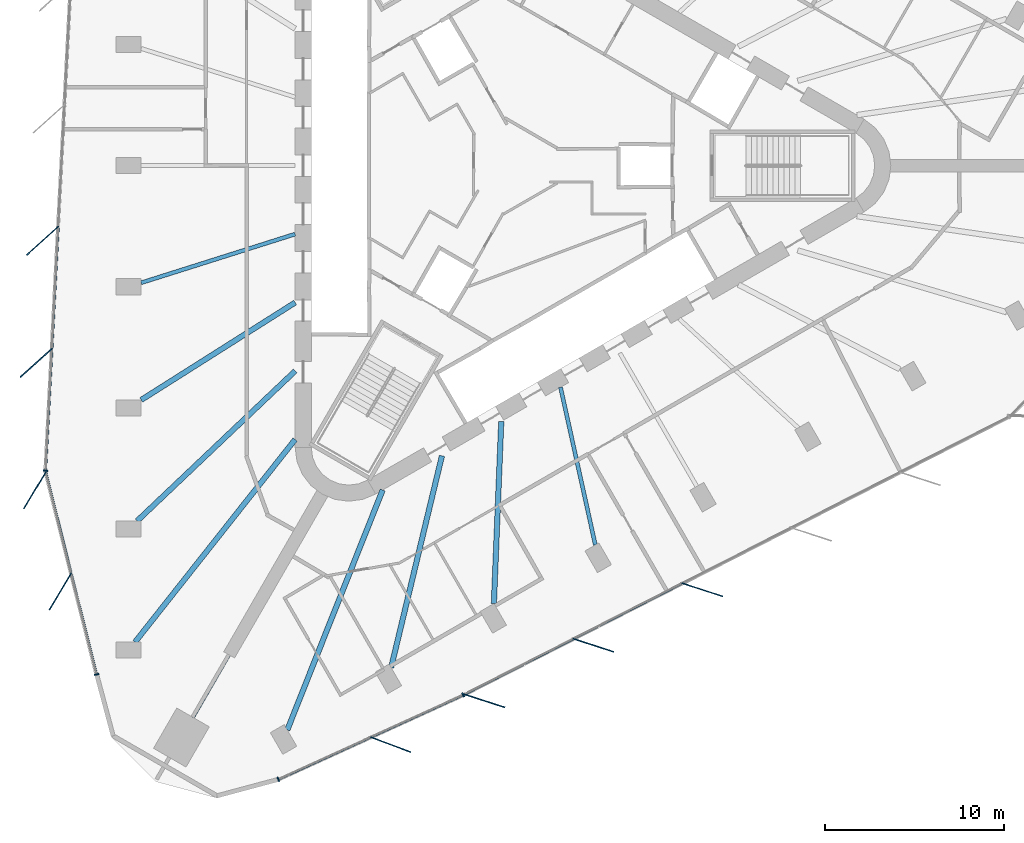
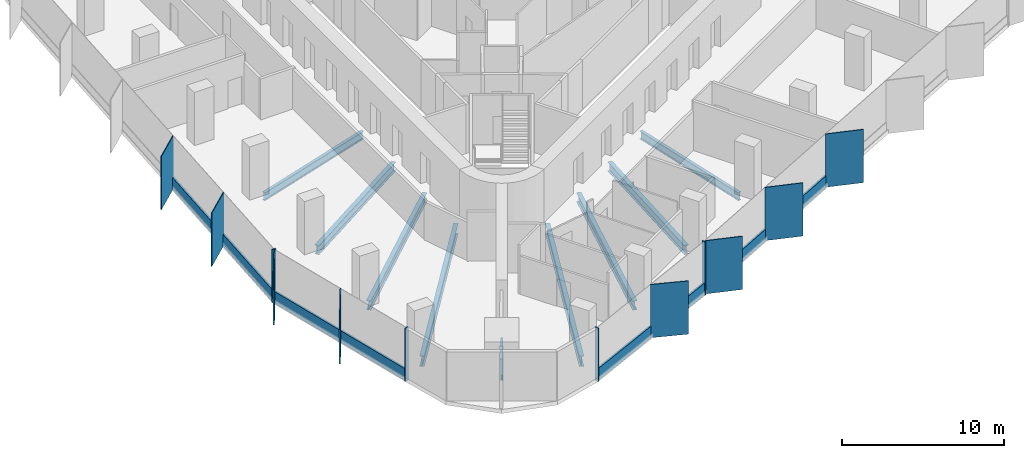
# One storey, part 2 of 14: 20 members, 9 beams, 4 elements without a shape of their own.
"""IFC4 building model written with IfcOpenShell, lengths in metres."""

from ifc_helpers import new_model, si_unit, direction, frame, origin, origin_2d, place, context, subcontext, project, spatial, rectangle, i_section, extrude, material, material_profile, profile_set, type_object, element, aggregate, save


model = new_model("IFC4")

# Units and contexts
model_context = context("Model", 3, precision=1e-05, world=origin(), true_north=direction((0.0, 1.0)))
body_context = subcontext(model_context, "Body", "Model", "MODEL_VIEW")
ifc_project = project(units=[si_unit("LENGTHUNIT", "METRE"), si_unit("AREAUNIT", "SQUARE_METRE"), si_unit("VOLUMEUNIT", "CUBIC_METRE"), si_unit("PLANEANGLEUNIT", "RADIAN"), si_unit("MASSUNIT", "GRAM", prefix="KILO")], contexts=[model_context])

# Site, building, storey
site_placement = place(None, origin())
site = spatial("IfcSite", under=ifc_project, at=site_placement, CompositionType="ELEMENT")
building_placement = place(site_placement, origin())
building = spatial("IfcBuilding", under=site, at=building_placement, Name="Tanit Gate Tower", CompositionType="ELEMENT")
storey_placement = place(building_placement, frame((0.0, 0.0, 257.199951171875)))
storey = spatial("IfcBuildingStorey", under=building, at=storey_placement, Name="L58", CompositionType="ELEMENT", Elevation=257.199951171875)

# Curtain wall, members
ifc_material_1 = material(Name="Aluminium bronze anodised and glass", Category="aluminium")
curtain_wall_type = type_object("IfcCurtainWallType", Name="Curtain wall typical mid", PredefinedType="NOTDEFINED", material=ifc_material_1)
curtain_wall_1_placement = place(storey_placement, origin())
curtain_wall_1 = element("IfcCurtainWall", 1, at=curtain_wall_1_placement, inside=storey, type_object=curtain_wall_type, Name="Curtain wall L58 W2", PredefinedType="NOTDEFINED")
ifc_material_2 = material(Name="Aluminium bronze anodised", Category="aluminium")
ifc_material_profile_1 = material_profile(ifc_material_2, rectangle(XDim=2.39990234375, YDim=0.055908203125, at=origin_2d()), Name="56x2400 bronze fin mullion")
ifc_profile_set_1 = profile_set([ifc_material_profile_1], Name="Aluminium bronze anodised")
member_type_1 = type_object("IfcMemberType", Name="FIN MULLION 56x2400 bronze", PredefinedType="MULLION", material=ifc_profile_set_1)
member_1_placement = place(storey_placement, frame((-26.218994140625, -4.199462890625, -0.300048828125), z_axis=(0.0, 0.0, 1.0), x_axis=(0.742829073656, 0.66948111798, 0.0)))
member_1 = element("IfcMember", 2, at=member_1_placement, type_object=member_type_1, Name="Fin mullion L58 W2.4", PredefinedType="MULLION", context=body_context, shape_type="SweptSolid", body=[
    extrude(rectangle(XDim=2.39990234375, YDim=0.055908203125, at=origin_2d()), origin(), (0.0, 0.0, 1.0), 4.0),
])
member_2_placement = place(storey_placement, frame((-26.573486328125, -11.022705078125, -0.300048828125), z_axis=(0.0, 0.0, 1.0), x_axis=(0.742829073656, 0.66948111798, 0.0)))
member_2 = element("IfcMember", 3, at=member_2_placement, type_object=member_type_1, Name="Fin mullion L58 W2.5", PredefinedType="MULLION", context=body_context, shape_type="SweptSolid", body=[
    extrude(rectangle(XDim=2.39990234375, YDim=0.055908203125, at=origin_2d()), origin(), (0.0, 0.0, 1.0), 4.0),
])

curtain_wall_2_placement = place(storey_placement, origin())
curtain_wall_2 = element("IfcCurtainWall", 4, at=curtain_wall_2_placement, inside=storey, type_object=curtain_wall_type, Name="Curtain wall L58 W3", PredefinedType="NOTDEFINED")
member_3_placement = place(storey_placement, frame((-26.649658203125, -18.147216796875, -0.300048828125), z_axis=(0.0, 0.0, 1.0), x_axis=(0.513349374266, 0.858179713079, 0.0)))
member_3 = element("IfcMember", 5, at=member_3_placement, type_object=member_type_1, Name="Fin mullion L58 W3.1", PredefinedType="MULLION", context=body_context, shape_type="SweptSolid", body=[
    extrude(rectangle(XDim=2.39990234375, YDim=0.055908203125, at=origin_2d()), origin(), (0.0, 0.0, 1.0), 4.0),
])
member_4_placement = place(storey_placement, frame((-25.227783203125, -23.802001953125, -0.300048828125), z_axis=(0.0, 0.0, 1.0), x_axis=(0.513349374266, 0.858179713079, 0.0)))
member_4 = element("IfcMember", 6, at=member_4_placement, type_object=member_type_1, Name="Fin mullion L58 W3.2", PredefinedType="MULLION", context=body_context, shape_type="SweptSolid", body=[
    extrude(rectangle(XDim=2.39990234375, YDim=0.055908203125, at=origin_2d()), origin(), (0.0, 0.0, 1.0), 4.0),
])

# Curtain wall, member
curtain_wall_3_placement = place(storey_placement, origin())
curtain_wall_3 = element("IfcCurtainWall", 7, at=curtain_wall_3_placement, inside=storey, type_object=curtain_wall_type, Name="Curtain wall L58 SE1", PredefinedType="NOTDEFINED")
member_5_placement = place(storey_placement, frame((-6.77099609375, -32.364013671875, -0.300048828125), z_axis=(0.0, 0.0, 1.0), x_axis=(-0.936905482973, 0.34958277414, 0.0)))
member_5 = element("IfcMember", 8, at=member_5_placement, type_object=member_type_1, Name="Fin mullion L58 SE1.2", PredefinedType="MULLION", context=body_context, shape_type="SweptSolid", body=[
    extrude(rectangle(XDim=2.39990234375, YDim=0.055908203125, at=origin_2d()), origin(), (0.0, 0.0, 1.0), 4.0),
])

# Curtain wall, members
curtain_wall_4_placement = place(storey_placement, origin())
curtain_wall_4 = element("IfcCurtainWall", 9, at=curtain_wall_4_placement, inside=storey, type_object=curtain_wall_type, Name="Curtain wall L58 SE2", PredefinedType="NOTDEFINED")
member_6_placement = place(storey_placement, frame((-1.5126953125, -29.9208984375, -0.300048828125), z_axis=(0.0, 0.0, 1.0), x_axis=(-0.951202192353, 0.308568289465, 0.0)))
member_6 = element("IfcMember", 10, at=member_6_placement, type_object=member_type_1, Name="Fin mullion L58 SE2.1", PredefinedType="MULLION", context=body_context, shape_type="SweptSolid", body=[
    extrude(rectangle(XDim=2.39990234375, YDim=0.055908203125, at=origin_2d()), origin(), (0.0, 0.0, 1.0), 4.0),
])
member_7_placement = place(storey_placement, frame((4.573486328125, -26.816162109375, -0.300048828125), z_axis=(0.0, 0.0, 1.0), x_axis=(-0.951202192353, 0.308568289465, 0.0)))
member_7 = element("IfcMember", 11, at=member_7_placement, type_object=member_type_1, Name="Fin mullion L58 SE2.2", PredefinedType="MULLION", context=body_context, shape_type="SweptSolid", body=[
    extrude(rectangle(XDim=2.39990234375, YDim=0.055908203125, at=origin_2d()), origin(), (0.0, 0.0, 1.0), 4.0),
])
member_8_placement = place(storey_placement, frame((10.659912109375, -23.71142578125, -0.300048828125), z_axis=(0.0, 0.0, 1.0), x_axis=(-0.951202192353, 0.308568289465, 0.0)))
member_8 = element("IfcMember", 12, at=member_8_placement, type_object=member_type_1, Name="Fin mullion L58 SE2.3", PredefinedType="MULLION", context=body_context, shape_type="SweptSolid", body=[
    extrude(rectangle(XDim=2.39990234375, YDim=0.055908203125, at=origin_2d()), origin(), (0.0, 0.0, 1.0), 4.0),
])

# Member
ifc_material_3 = material(Name="Aluminium bronze anodised", Category="aluminium")
ifc_material_profile_2 = material_profile(ifc_material_3, rectangle(XDim=0.260009765625, YDim=0.080078125, at=origin_2d()), Name="80x260 bronze mullion")
ifc_profile_set_2 = profile_set([ifc_material_profile_2], Name="Aluminium bronze anodised")
member_type_2 = type_object("IfcMemberType", Name="Mullion 80x260 typical mid", PredefinedType="MULLION", material=ifc_profile_set_2)
member_9_placement = place(storey_placement, frame((-26.052001953125, -17.056884765625, -0.300048828125), z_axis=(0.0, 0.0, 1.0), x_axis=(0.998654113645, -0.051864836844, 0.0)))
member_9 = element("IfcMember", 13, at=member_9_placement, type_object=member_type_2, Name="Mullion L58 W2.6", PredefinedType="MULLION", context=body_context, shape_type="SweptSolid", body=[
    extrude(rectangle(XDim=0.260009765625, YDim=0.080078125, at=origin_2d()), origin(), (0.0, 0.0, 1.0), 4.0),
])

member_10_placement = place(storey_placement, frame((-23.200927734375, -28.4453125, -0.300048828125), z_axis=(0.0, 0.0, 1.0), x_axis=(0.969817518256, 0.243831870934, 0.0)))
member_10 = element("IfcMember", 14, at=member_10_placement, type_object=member_type_2, Name="Mullion L58 W3.3", PredefinedType="MULLION", context=body_context, shape_type="SweptSolid", body=[
    extrude(rectangle(XDim=0.260009765625, YDim=0.080078125, at=origin_2d()), origin(), (0.0, 0.0, 1.0), 4.0),
])

member_11_placement = place(storey_placement, frame((-13.044677734375, -34.31201171875, -0.300048828125), z_axis=(0.0, 0.0, 1.0), x_axis=(-0.41529987016, 0.909684570522, 0.0)))
member_11 = element("IfcMember", 15, at=member_11_placement, type_object=member_type_2, Name="Mullion L58 SE1.1", PredefinedType="MULLION", context=body_context, shape_type="SweptSolid", body=[
    extrude(rectangle(XDim=0.260009765625, YDim=0.080078125, at=origin_2d()), origin(), (0.0, 0.0, 1.0), 4.0),
])

member_12_placement = place(storey_placement, frame((-2.7060546875, -29.592041015625, -0.300048828125), z_axis=(0.0, 0.0, 1.0), x_axis=(-0.41529987016, 0.909684570522, 0.0)))
member_12 = element("IfcMember", 16, at=member_12_placement, type_object=member_type_2, Name="Mullion L58 SE1.3", PredefinedType="MULLION", context=body_context, shape_type="SweptSolid", body=[
    extrude(rectangle(XDim=0.260009765625, YDim=0.080078125, at=origin_2d()), origin(), (0.0, 0.0, 1.0), 4.0),
])

# Beams
ifc_material_4 = material(Name="Steel S355", Category="steel")
ifc_material_profile_3 = material_profile(ifc_material_4, i_section(OverallWidth=0.300048828125, OverallDepth=0.68994140625, WebThickness=0.014404296875, FlangeThickness=0.027099609375, FilletRadius=0.027099609375, at=origin_2d()), Name="HEA 700")
ifc_profile_set_3 = profile_set([ifc_material_profile_3], Name="Steel S355")
beam_type_1 = type_object("IfcBeamType", Name="RADIAL GIRDER HEA 700 S355", PredefinedType="BEAM", material=ifc_profile_set_3)
beam_1_placement = place(storey_placement, frame((-20.707275390625, -13.09912109375, -0.64501953125), z_axis=(0.845101827665, 0.534605369293, 0.0), x_axis=(-0.534605369293, 0.845101827665, 0.0)))
element("IfcBeam", 17, at=beam_1_placement, inside=storey, type_object=beam_type_1, Name="RADIAL GIRDER", PredefinedType="BEAM", context=body_context, shape_type="SweptSolid", body=[
    extrude(i_section(OverallWidth=0.300048828125, OverallDepth=0.68994140625, WebThickness=0.014404296875, FlangeThickness=0.027099609375, FilletRadius=0.027099609375, at=origin_2d()), origin(), (0.0, 0.0, 1.0), 10.182373046875),
])
for number, where, z_axis, x_axis, name in (
    (18, (-20.93310546875, -19.86279296875, -0.64501953125), (0.725413886333, 0.688312932841, 0.0), (-0.688312932841, 0.725413886333, 0.0), "RADIAL GIRDER"),
    (19, (-6.7353515625, -28.06005859375, -0.64501953125), (0.233413152093, 0.972377653194, 0.0), (-0.972377653194, 0.233413152093, 0.0), "RADIAL GIRDER"),
):
    element("IfcBeam", number, at=place(storey_placement, frame(where, z_axis=z_axis, x_axis=x_axis)), inside=storey, type_object=beam_type_1, Name=name, PredefinedType="BEAM", context=body_context, shape_type="SweptSolid", body=[
        extrude(i_section(OverallWidth=0.300048828125, OverallDepth=0.68994140625, WebThickness=0.014404296875, FlangeThickness=0.027099609375, FilletRadius=0.027099609375, at=origin_2d()), origin(), (0.0, 0.0, 1.0), 12.173828125),
    ])
beam_2_placement = place(storey_placement, frame((-0.990478515625, -24.482666015625, -0.64501953125), z_axis=(0.040423811094, 0.999182623696, 0.0), x_axis=(-0.999182623696, 0.040423811094, 0.0)))
element("IfcBeam", 20, at=beam_2_placement, inside=storey, type_object=beam_type_1, Name="RADIAL GIRDER", PredefinedType="BEAM", context=body_context, shape_type="SweptSolid", body=[
    extrude(i_section(OverallWidth=0.300048828125, OverallDepth=0.68994140625, WebThickness=0.014404296875, FlangeThickness=0.027099609375, FilletRadius=0.027099609375, at=origin_2d()), origin(), (0.0, 0.0, 1.0), 10.1826171875),
])
ifc_material_5 = material(Name="Steel S355", Category="steel")
ifc_material_profile_4 = material_profile(ifc_material_5, i_section(OverallWidth=0.300048828125, OverallDepth=0.7900390625, WebThickness=0.014892578125, FlangeThickness=0.028076171875, FilletRadius=0.030029296875, at=origin_2d()), Name="HEA 800")
ifc_profile_set_4 = profile_set([ifc_material_profile_4], Name="Steel S355")
beam_type_2 = type_object("IfcBeamType", Name="RADIAL GIRDER HEA 800 S355", PredefinedType="BEAM", material=ifc_profile_set_4)
beam_3_placement = place(storey_placement, frame((-21.051513671875, -26.6337890625, -0.695068359375), z_axis=(0.6200900957, 0.784530606933, 0.0), x_axis=(-0.784530606933, 0.6200900957, 0.0)))
element("IfcBeam", 21, at=beam_3_placement, inside=storey, type_object=beam_type_2, Name="RADIAL GIRDER", PredefinedType="BEAM", context=body_context, shape_type="SweptSolid", body=[
    extrude(i_section(OverallWidth=0.300048828125, OverallDepth=0.7900390625, WebThickness=0.014892578125, FlangeThickness=0.028076171875, FilletRadius=0.030029296875, at=origin_2d()), origin(), (0.0, 0.0, 1.0), 14.4326171875),
])
beam_4_placement = place(storey_placement, frame((-12.539794921875, -31.54833984375, -0.695068359375), z_axis=(0.369365772783, 0.929284093212, 0.0), x_axis=(-0.929284093212, 0.369365772783, 0.0)))
element("IfcBeam", 22, at=beam_4_placement, inside=storey, type_object=beam_type_2, Name="RADIAL GIRDER", PredefinedType="BEAM", context=body_context, shape_type="SweptSolid", body=[
    extrude(i_section(OverallWidth=0.300048828125, OverallDepth=0.7900390625, WebThickness=0.014892578125, FlangeThickness=0.028076171875, FilletRadius=0.030029296875, at=origin_2d()), origin(), (0.0, 0.0, 1.0), 14.43310546875),
])
ifc_material_6 = material(Name="Steel S355", Category="steel")
ifc_material_profile_5 = material_profile(ifc_material_6, i_section(OverallWidth=0.179931640625, OverallDepth=0.39990234375, WebThickness=0.008544921875, FlangeThickness=0.013427734375, FilletRadius=0.02099609375, at=origin_2d()), Name="IPE 400")
ifc_profile_set_5 = profile_set([ifc_material_profile_5], Name="Steel S355")
beam_type_3 = type_object("IfcBeamType", Name="RADIAL GIRDER IPE 400 S355", PredefinedType="BEAM", material=ifc_profile_set_5)
beam_5_placement = place(storey_placement, frame((-17.81005859375, -30.847900390625, -0.5), z_axis=(0.500008591458, 0.866020443447, 0.0), x_axis=(-0.866020443447, 0.500008591458, 0.0)))
element("IfcBeam", 23, at=beam_5_placement, inside=storey, type_object=beam_type_3, Name="RADIAL GIRDER", PredefinedType="BEAM", context=body_context, shape_type="SweptSolid", body=[
    extrude(i_section(OverallWidth=0.179931640625, OverallDepth=0.39990234375, WebThickness=0.008544921875, FlangeThickness=0.013427734375, FilletRadius=0.02099609375, at=origin_2d()), origin(), (0.0, 0.0, 1.0), 4.03759765625),
])
ifc_material_7 = material(Name="Steel S355", Category="steel")
ifc_material_profile_6 = material_profile(ifc_material_7, i_section(OverallWidth=0.219970703125, OverallDepth=0.60009765625, WebThickness=0.011962890625, FlangeThickness=0.01904296875, FilletRadius=0.02392578125, at=origin_2d()), Name="IPE 600")
ifc_profile_set_6 = profile_set([ifc_material_profile_6], Name="Steel S355")
beam_type_4 = type_object("IfcBeamType", Name="RADIAL GIRDER IPE 600 S355", PredefinedType="BEAM", material=ifc_profile_set_6)
beam_6_placement = place(storey_placement, frame((-20.707275390625, -6.549560546875, -0.599853515625), z_axis=(0.953447657806, 0.301558557869, 0.0), x_axis=(-0.301558557869, 0.953447657806, 0.0)))
element("IfcBeam", 24, at=beam_6_placement, inside=storey, type_object=beam_type_4, Name="RADIAL GIRDER", PredefinedType="BEAM", context=body_context, shape_type="SweptSolid", body=[
    extrude(i_section(OverallWidth=0.219970703125, OverallDepth=0.60009765625, WebThickness=0.011962890625, FlangeThickness=0.01904296875, FilletRadius=0.02392578125, at=origin_2d()), origin(), (0.0, 0.0, 1.0), 9.025390625),
])
beam_7_placement = place(storey_placement, frame((4.681396484375, -21.2080078125, -0.599853515625), z_axis=(-0.215532558001, 0.976496654598, 0.0), x_axis=(-0.976496654598, -0.215532558001, 0.0)))
element("IfcBeam", 25, at=beam_7_placement, inside=storey, type_object=beam_type_4, Name="RADIAL GIRDER", PredefinedType="BEAM", context=body_context, shape_type="SweptSolid", body=[
    extrude(i_section(OverallWidth=0.219970703125, OverallDepth=0.60009765625, WebThickness=0.011962890625, FlangeThickness=0.01904296875, FilletRadius=0.02392578125, at=origin_2d()), origin(), (0.0, 0.0, 1.0), 9.025634765625),
])

# Member
ifc_material_8 = material(Name="Aluminium bronze anodised", Category="aluminium")
ifc_material_profile_7 = material_profile(ifc_material_8, rectangle(XDim=0.139892578125, YDim=0.89990234375, at=origin_2d()), Name="140x900 bronze transom")
ifc_profile_set_7 = profile_set([ifc_material_profile_7], Name="Aluminium bronze anodised")
member_type_3 = type_object("IfcMemberType", Name="Transom 140x900 typical mid", PredefinedType="USERDEFINED", material=ifc_profile_set_7)
member_13_placement = place(storey_placement, frame((-25.345458984375, -3.4501953125, 0.150146484375), z_axis=(-0.051847192816, -0.998655029826, 0.0), x_axis=(0.998655029826, -0.051847192816, 0.0)))
member_13 = element("IfcMember", 26, at=member_13_placement, type_object=member_type_3, Name="Transom L58 W2.4", ObjectType="TRANSOM", PredefinedType="USERDEFINED", context=body_context, shape_type="SweptSolid", body=[
    extrude(rectangle(XDim=0.139892578125, YDim=0.89990234375, at=origin_2d()), origin(), (0.0, 0.0, 1.0), 6.75244140625),
])

member_14_placement = place(storey_placement, frame((-25.69970703125, -10.2734375, 0.150146484375), z_axis=(-0.051883251167, -0.998653157131, 0.0), x_axis=(0.998653157131, -0.051883251167, 0.0)))
member_14 = element("IfcMember", 27, at=member_14_placement, type_object=member_type_3, Name="Transom L58 W2.5", ObjectType="TRANSOM", PredefinedType="USERDEFINED", context=body_context, shape_type="SweptSolid", body=[
    extrude(rectangle(XDim=0.139892578125, YDim=0.89990234375, at=origin_2d()), origin(), (0.0, 0.0, 1.0), 6.75244140625),
])

aggregate(curtain_wall_1, [member_1, member_2, member_9, member_13, member_14])

member_15_placement = place(storey_placement, frame((-26.03466796875, -17.17431640625, 0.150146484375), z_axis=(0.243814032704, -0.969822002976, 0.0), x_axis=(0.969822002976, 0.243814032704, 0.0)))
member_15 = element("IfcMember", 28, at=member_15_placement, type_object=member_type_3, Name="Transom L58 W3.1", ObjectType="TRANSOM", PredefinedType="USERDEFINED", context=body_context, shape_type="SweptSolid", body=[
    extrude(rectangle(XDim=0.139892578125, YDim=0.89990234375, at=origin_2d()), origin(), (0.0, 0.0, 1.0), 5.750732421875),
])

member_16_placement = place(storey_placement, frame((-24.613037109375, -22.8291015625, 0.150146484375), z_axis=(0.243843922933, -0.969814488059, 0.0), x_axis=(0.969814488059, 0.243843922933, 0.0)))
member_16 = element("IfcMember", 29, at=member_16_placement, type_object=member_type_3, Name="Transom L58 W3.2", ObjectType="TRANSOM", PredefinedType="USERDEFINED", context=body_context, shape_type="SweptSolid", body=[
    extrude(rectangle(XDim=0.139892578125, YDim=0.89990234375, at=origin_2d()), origin(), (0.0, 0.0, 1.0), 5.7509765625),
])

aggregate(curtain_wall_2, [member_3, member_4, member_10, member_15, member_16])

member_17_placement = place(storey_placement, frame((-13.00830078125, -34.29541015625, 0.150146484375), z_axis=(0.909669750751, 0.415332330271, 0.0), x_axis=(-0.415332330271, 0.909669750751, 0.0)))
member_17 = element("IfcMember", 30, at=member_17_placement, type_object=member_type_3, Name="Transom L58 SE1.1", ObjectType="TRANSOM", PredefinedType="USERDEFINED", context=body_context, shape_type="SweptSolid", body=[
    extrude(rectangle(XDim=0.139892578125, YDim=0.89990234375, at=origin_2d()), origin(), (0.0, 0.0, 1.0), 5.6025390625),
])

member_18_placement = place(storey_placement, frame((-7.839111328125, -31.935302734375, 0.150146484375), z_axis=(0.909693729844, 0.415279806736, 0.0), x_axis=(-0.415279806736, 0.909693729844, 0.0)))
member_18 = element("IfcMember", 31, at=member_18_placement, type_object=member_type_3, Name="Transom L58 SE1.2", ObjectType="TRANSOM", PredefinedType="USERDEFINED", context=body_context, shape_type="SweptSolid", body=[
    extrude(rectangle(XDim=0.139892578125, YDim=0.89990234375, at=origin_2d()), origin(), (0.0, 0.0, 1.0), 5.6025390625),
])

aggregate(curtain_wall_3, [member_11, member_5, member_12, member_17, member_18])

member_19_placement = place(storey_placement, frame((-2.598388671875, -29.5390625, 0.150146484375), z_axis=(0.890797114377, 0.45440125552, 0.0), x_axis=(-0.45440125552, 0.890797114377, 0.0)))
member_19 = element("IfcMember", 32, at=member_19_placement, type_object=member_type_3, Name="Transom L58 SE2.1", ObjectType="TRANSOM", PredefinedType="USERDEFINED", context=body_context, shape_type="SweptSolid", body=[
    extrude(rectangle(XDim=0.139892578125, YDim=0.89990234375, at=origin_2d()), origin(), (0.0, 0.0, 1.0), 6.75244140625),
])

member_20_placement = place(storey_placement, frame((3.488037109375, -26.434326171875, 0.150146484375), z_axis=(0.890789648628, 0.454415890894, 0.0), x_axis=(-0.454415890894, 0.890789648628, 0.0)))
member_20 = element("IfcMember", 33, at=member_20_placement, type_object=member_type_3, Name="Transom L58 SE2.2", ObjectType="TRANSOM", PredefinedType="USERDEFINED", context=body_context, shape_type="SweptSolid", body=[
    extrude(rectangle(XDim=0.139892578125, YDim=0.89990234375, at=origin_2d()), origin(), (0.0, 0.0, 1.0), 6.752197265625),
])

aggregate(curtain_wall_4, [member_6, member_7, member_8, member_19, member_20])

save(model, "model.ifc")
